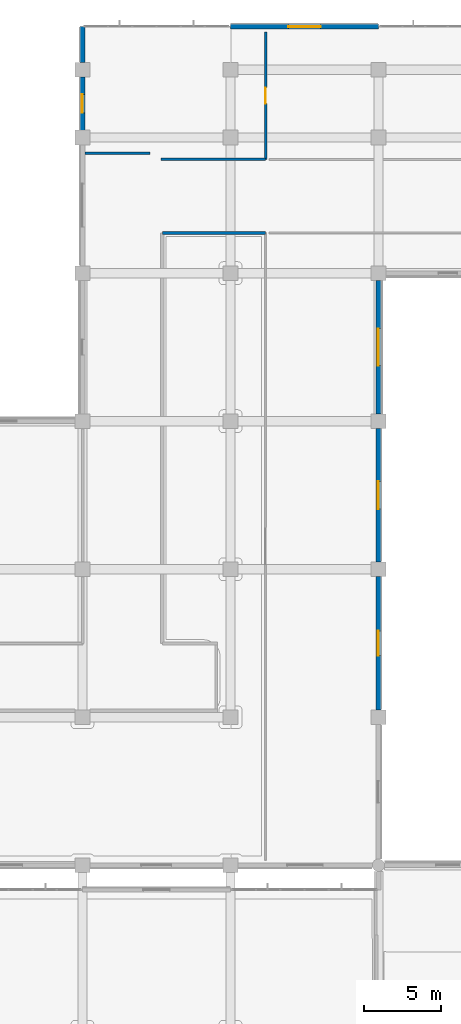
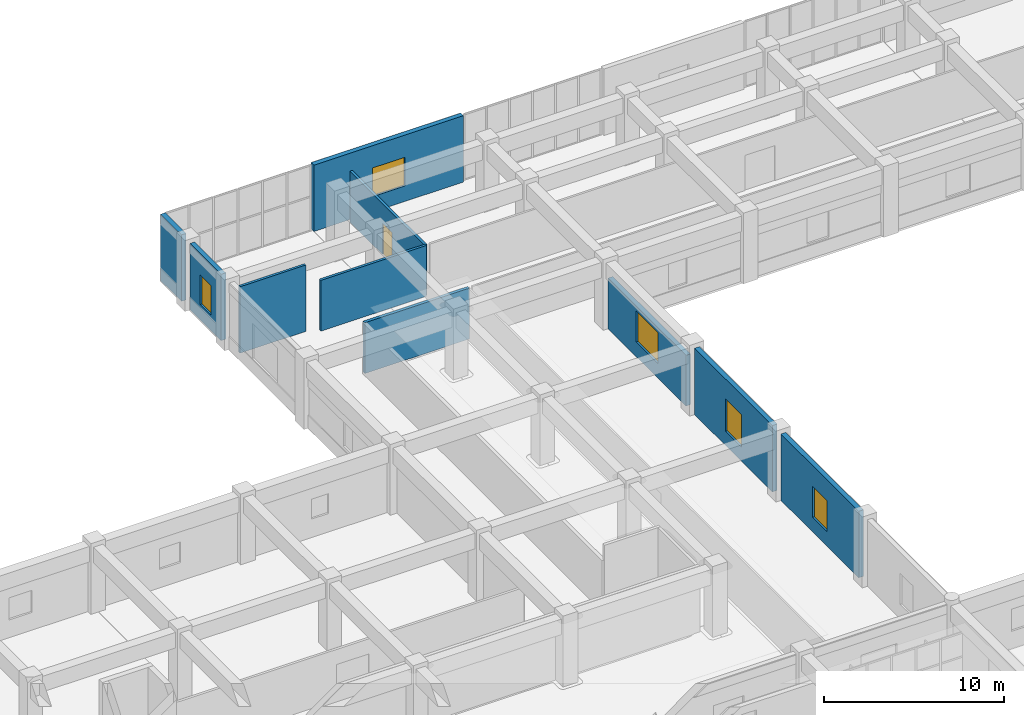
# One storey, part 57 of 86: 10 walls, 5 windows, 1 door, 6 openings.
"""IFC4 building model written with IfcOpenShell, lengths in metres."""

from ifc_helpers import new_model, si_unit, direction, frame, frame_2d, origin, place, context, subcontext, project, spatial, rectangle, extrude, material, layer, layer_set, type_object, element, fill, save


model = new_model("IFC4")

# Units and contexts
model_context = context("Model", 3, precision=1e-05, world=origin(), true_north=direction((0.0, 1.0)))
body_context = subcontext(model_context, "Body", "Model", "MODEL_VIEW")
ifc_project = project(units=[si_unit("LENGTHUNIT", "METRE"), si_unit("AREAUNIT", "SQUARE_METRE"), si_unit("VOLUMEUNIT", "CUBIC_METRE"), si_unit("PLANEANGLEUNIT", "RADIAN"), si_unit("MASSUNIT", "GRAM", prefix="KILO")], contexts=[model_context])

# Site, building, storey
site_placement = place(None, origin())
site = spatial("IfcSite", under=ifc_project, at=site_placement, CompositionType="ELEMENT")
building_placement = place(site_placement, origin())
building = spatial("IfcBuilding", under=site, at=building_placement, Name="Cendralis Terraced Arcade", CompositionType="ELEMENT")
storey_placement = place(building_placement, frame((0.0, 0.0, 5.39990234375)))
storey = spatial("IfcBuildingStorey", under=building, at=storey_placement, Name="L01", CompositionType="ELEMENT", Elevation=5.39990234375)

# Wall
ifc_material_1 = material(Name="Gypsum plasterboard acoustic partition", Category="concrete")
ifc_layer_1 = layer(ifc_material_1, 0.195068359375, Name="WL-ACOU-195")
ifc_layer_set_1 = layer_set([ifc_layer_1], Name="Gypsum plasterboard acoustic partition")
wall_type_1 = type_object("IfcWallType", Name="WL-ACOU-195", PredefinedType="PARTITIONING", material=ifc_layer_set_1)
wall_1_placement = place(storey_placement, frame((53.179931640625, 101.02001953125, 0.0), z_axis=(0.0, 0.0, 1.0), x_axis=(1.0, 0.0, 0.0)))
element("IfcWall", 1, at=wall_1_placement, inside=storey, type_object=wall_type_1, Name="Interior Partition Wall IW-L01-0363", PredefinedType="PARTITIONING", context=body_context, shape_type="SweptSolid", body=[
    extrude(rectangle(XDim=6.699951171875, YDim=0.195068359375, at=frame_2d((3.35009765625, 0.0))), origin(), (0.0, 0.0, 1.0), 3.445068359375),
])

# Wall, opening, window
ifc_material_2 = material(Name="Precast concrete f'c 40 MPa", Category="concrete")
ifc_layer_2 = layer(ifc_material_2, 0.300048828125, Name="WL-EXT-GRC-300")
ifc_layer_set_2 = layer_set([ifc_layer_2], Name="Precast concrete f'c 40 MPa")
wall_type_2 = type_object("IfcWallType", Name="WL-EXT-GRC-300", PredefinedType="SOLIDWALL", material=ifc_layer_set_2)
wall_2_placement = place(storey_placement, frame((48.0, 107.673095703125, 0.0), z_axis=(0.0, 0.0, 1.0), x_axis=(0.0, 1.0, 0.0)))
wall_2 = element("IfcWall", 2, at=wall_2_placement, inside=storey, type_object=wall_type_2, Name="Exterior Architectural Wall EW-L01-0096", PredefinedType="SOLIDWALL", context=body_context, shape_type="SweptSolid", body=[
    extrude(rectangle(XDim=3.453857421875, YDim=0.300048828125, at=frame_2d((1.72705078125, 0.0))), origin(), (0.0, 0.0, 1.0), 4.505126953125),
])
opening_1_placement = place(wall_2_placement, frame((1.126953125, 0.0, 1.050048828125)))
opening_1 = element("IfcOpeningElement", 3, at=opening_1_placement, cuts=wall_2, Name="Opening W-07", PredefinedType="OPENING", context=body_context, shape_type="SweptSolid", body=[
    extrude(rectangle(XDim=1.199951171875, YDim=2.0, at=frame_2d((0.60009765625, 1.0))), frame((0.0, 0.162109375, 0.0), z_axis=(0.0, -1.0, 0.0), x_axis=(1.0, 0.0, 0.0)), (0.0, 0.0, 1.0), 0.323974609375),
])
ifc_material_3 = material(Name="Tempered solar control laminated glass", Category="glass")
window_type_1 = type_object("IfcWindowType", Name="WN-F1-1200x2000", PartitioningType="SINGLE_PANEL", PredefinedType="WINDOW", material=ifc_material_3)
window_1_placement = place(opening_1_placement, origin())
window_1 = element("IfcWindow", 4, at=window_1_placement, inside=storey, type_object=window_type_1, Name="Exterior Solar-Control Window WN-L01-0054", OverallHeight=2.0, OverallWidth=1.199951171875, PartitioningType="SINGLE_PANEL", PredefinedType="WINDOW", context=body_context, shape_type="SweptSolid", body=[
    extrude(rectangle(XDim=1.199951171875, YDim=2.0, at=frame_2d((0.60009765625, 1.0))), frame((0.0, 0.030029296875, 0.0), z_axis=(0.0, -1.0, 0.0), x_axis=(1.0, 0.0, 0.0)), (0.0, 0.0, 1.0), 0.06005859375),
])
fill(opening_1, window_1)

# Wall
wall_3_placement = place(storey_placement, frame((48.0, 112.072998046875, 0.0), z_axis=(0.0, 0.0, 1.0), x_axis=(0.0, 1.0, 0.0)))
element("IfcWall", 5, at=wall_3_placement, inside=storey, type_object=wall_type_2, Name="Exterior Architectural Wall EW-L01-0097", PredefinedType="SOLIDWALL", context=body_context, shape_type="SweptSolid", body=[
    extrude(rectangle(XDim=2.326904296875, YDim=0.300048828125, at=frame_2d((1.16357421875, 0.0))), origin(), (0.0, 0.0, 1.0), 4.505126953125),
])

# Wall, opening, window
wall_4_placement = place(storey_placement, frame((57.60009765625, 114.39990234375, 0.0), z_axis=(0.0, 0.0, 1.0), x_axis=(1.0, 0.0, 0.0)))
wall_4 = element("IfcWall", 6, at=wall_4_placement, inside=storey, type_object=wall_type_2, Name="Exterior Architectural Wall EW-L01-0098", PredefinedType="SOLIDWALL", context=body_context, shape_type="SweptSolid", body=[
    extrude(rectangle(XDim=9.599853515625, YDim=0.300048828125, at=frame_2d((4.7998046875, 0.0))), origin(), (0.0, 0.0, 1.0), 4.505126953125),
])
opening_2_placement = place(wall_4_placement, frame((3.75, 0.0, 1.050048828125)))
opening_2 = element("IfcOpeningElement", 7, at=opening_2_placement, cuts=wall_4, Name="Opening W-12", PredefinedType="OPENING", context=body_context, shape_type="SweptSolid", body=[
    extrude(rectangle(XDim=2.10009765625, YDim=1.949951171875, at=frame_2d((1.050048828125, 0.97509765625))), frame((0.0, 0.162109375, 0.0), z_axis=(0.0, -1.0, 0.0), x_axis=(1.0, 0.0, 0.0)), (0.0, 0.0, 1.0), 0.323974609375),
])
window_type_2 = type_object("IfcWindowType", Name="WN-F2-2100x1950", PartitioningType="SINGLE_PANEL", PredefinedType="WINDOW", material=ifc_material_3)
window_2_placement = place(opening_2_placement, origin())
window_2 = element("IfcWindow", 8, at=window_2_placement, inside=storey, type_object=window_type_2, Name="Exterior Solar-Control Window WN-L01-0055", OverallHeight=1.949951171875, OverallWidth=2.10009765625, PartitioningType="SINGLE_PANEL", PredefinedType="WINDOW", context=body_context, shape_type="SweptSolid", body=[
    extrude(rectangle(XDim=2.10009765625, YDim=1.949951171875, at=frame_2d((1.050048828125, 0.97509765625))), frame((0.0, 0.030029296875, 0.0), z_axis=(0.0, -1.0, 0.0), x_axis=(1.0, 0.0, 0.0)), (0.0, 0.0, 1.0), 0.06005859375),
])
fill(opening_2, window_2)

wall_5_placement = place(storey_placement, frame((67.199951171875, 97.927001953125, 0.0), z_axis=(0.0, 0.0, 1.0), x_axis=(0.0, -1.0, 0.0)))
wall_5 = element("IfcWall", 9, at=wall_5_placement, inside=storey, type_object=wall_type_2, Name="Exterior Architectural Wall EW-L01-0149", PredefinedType="SOLIDWALL", context=body_context, shape_type="SweptSolid", body=[
    extrude(rectangle(XDim=8.654052734375, YDim=0.300048828125, at=frame_2d((4.3271484375, 0.0))), origin(), (0.0, 0.0, 1.0), 3.445068359375),
])
opening_3_placement = place(wall_5_placement, frame((3.126953125, 0.0, 1.0)))
opening_3 = element("IfcOpeningElement", 10, at=opening_3_placement, cuts=wall_5, Name="Opening W-11", PredefinedType="OPENING", context=body_context, shape_type="SweptSolid", body=[
    extrude(rectangle(XDim=2.39990234375, YDim=2.10009765625, at=frame_2d((1.199951171875, 1.050048828125))), frame((0.0, 0.162109375, 0.0), z_axis=(0.0, -1.0, 0.0), x_axis=(1.0, 0.0, 0.0)), (0.0, 0.0, 1.0), 0.323974609375),
])
window_type_3 = type_object("IfcWindowType", Name="WN-F2-2400x2100", PartitioningType="SINGLE_PANEL", PredefinedType="WINDOW", material=ifc_material_3)
window_3_placement = place(opening_3_placement, origin())
window_3 = element("IfcWindow", 11, at=window_3_placement, inside=storey, type_object=window_type_3, Name="Exterior Solar-Control Window WN-L01-0099", OverallHeight=2.10009765625, OverallWidth=2.39990234375, PartitioningType="SINGLE_PANEL", PredefinedType="WINDOW", context=body_context, shape_type="SweptSolid", body=[
    extrude(rectangle(XDim=2.39990234375, YDim=2.10009765625, at=frame_2d((1.199951171875, 1.050048828125))), frame((0.0, 0.030029296875, 0.0), z_axis=(0.0, -1.0, 0.0), x_axis=(1.0, 0.0, 0.0)), (0.0, 0.0, 1.0), 0.06005859375),
])
fill(opening_3, window_3)

wall_6_placement = place(storey_placement, frame((67.199951171875, 88.326904296875, 0.0), z_axis=(0.0, 0.0, 1.0), x_axis=(0.0, -1.0, 0.0)))
wall_6 = element("IfcWall", 12, at=wall_6_placement, inside=storey, type_object=wall_type_2, Name="Exterior Architectural Wall EW-L01-0150", PredefinedType="SOLIDWALL", context=body_context, shape_type="SweptSolid", body=[
    extrude(rectangle(XDim=8.65380859375, YDim=0.300048828125, at=frame_2d((4.326904296875, 0.0))), origin(), (0.0, 0.0, 1.0), 4.505126953125),
])
opening_4_placement = place(wall_6_placement, frame((3.427001953125, 0.0, 0.949951171875)))
opening_4 = element("IfcOpeningElement", 13, at=opening_4_placement, cuts=wall_6, Name="Opening W-04", PredefinedType="OPENING", context=body_context, shape_type="SweptSolid", body=[
    extrude(rectangle(XDim=1.800048828125, YDim=2.199951171875, at=frame_2d((0.89990234375, 1.10009765625))), frame((0.0, 0.162109375, 0.0), z_axis=(0.0, -1.0, 0.0), x_axis=(1.0, 0.0, 0.0)), (0.0, 0.0, 1.0), 0.323974609375),
])
window_type_4 = type_object("IfcWindowType", Name="WN-F1-1800x2200", PartitioningType="SINGLE_PANEL", PredefinedType="WINDOW", material=ifc_material_3)
window_4_placement = place(opening_4_placement, origin())
window_4 = element("IfcWindow", 14, at=window_4_placement, inside=storey, type_object=window_type_4, Name="Exterior Solar-Control Window WN-L01-0100", OverallHeight=2.199951171875, OverallWidth=1.800048828125, PartitioningType="SINGLE_PANEL", PredefinedType="WINDOW", context=body_context, shape_type="SweptSolid", body=[
    extrude(rectangle(XDim=1.800048828125, YDim=2.199951171875, at=frame_2d((0.89990234375, 1.10009765625))), frame((0.0, 0.030029296875, 0.0), z_axis=(0.0, -1.0, 0.0), x_axis=(1.0, 0.0, 0.0)), (0.0, 0.0, 1.0), 0.06005859375),
])
fill(opening_4, window_4)

wall_7_placement = place(storey_placement, frame((67.199951171875, 78.72705078125, 0.0), z_axis=(0.0, 0.0, 1.0), x_axis=(0.0, -1.0, 0.0)))
wall_7 = element("IfcWall", 15, at=wall_7_placement, inside=storey, type_object=wall_type_2, Name="Exterior Architectural Wall EW-L01-0151", PredefinedType="SOLIDWALL", context=body_context, shape_type="SweptSolid", body=[
    extrude(rectangle(XDim=8.654052734375, YDim=0.300048828125, at=frame_2d((4.3271484375, 0.0))), origin(), (0.0, 0.0, 1.0), 4.505126953125),
])
opening_5_placement = place(wall_7_placement, frame((3.527099609375, 0.0, 1.0)))
opening_5 = element("IfcOpeningElement", 16, at=opening_5_placement, cuts=wall_7, Name="Opening W-05", PredefinedType="OPENING", context=body_context, shape_type="SweptSolid", body=[
    extrude(rectangle(XDim=1.60009765625, YDim=2.10009765625, at=frame_2d((0.800048828125, 1.050048828125))), frame((0.0, 0.162109375, 0.0), z_axis=(0.0, -1.0, 0.0), x_axis=(1.0, 0.0, 0.0)), (0.0, 0.0, 1.0), 0.323974609375),
])
window_type_5 = type_object("IfcWindowType", Name="WN-F1-1600x2100", PartitioningType="SINGLE_PANEL", PredefinedType="WINDOW", material=ifc_material_3)
window_5_placement = place(opening_5_placement, origin())
window_5 = element("IfcWindow", 17, at=window_5_placement, inside=storey, type_object=window_type_5, Name="Exterior Solar-Control Window WN-L01-0101", OverallHeight=2.10009765625, OverallWidth=1.60009765625, PartitioningType="SINGLE_PANEL", PredefinedType="WINDOW", context=body_context, shape_type="SweptSolid", body=[
    extrude(rectangle(XDim=1.60009765625, YDim=2.10009765625, at=frame_2d((0.800048828125, 1.050048828125))), frame((0.0, 0.030029296875, 0.0), z_axis=(0.0, -1.0, 0.0), x_axis=(1.0, 0.0, 0.0)), (0.0, 0.0, 1.0), 0.06005859375),
])
fill(opening_5, window_5)

# Walls
ifc_layer_3 = layer(ifc_material_1, 0.159912109375, Name="WL-PART-160")
ifc_layer_set_3 = layer_set([ifc_layer_3], Name="Gypsum plasterboard acoustic partition")
wall_type_3 = type_object("IfcWallType", Name="WL-PART-160", PredefinedType="PARTITIONING", material=ifc_layer_set_3)
wall_8_placement = place(storey_placement, frame((52.380859375, 106.179931640625, 0.0), z_axis=(0.0, 0.0, 1.0), x_axis=(-1.0, 0.0, 0.0)))
element("IfcWall", 18, at=wall_8_placement, inside=storey, type_object=wall_type_3, Name="Interior Partition Wall IW-L01-0369", PredefinedType="PARTITIONING", context=body_context, shape_type="SweptSolid", body=[
    extrude(rectangle(XDim=4.23095703125, YDim=0.159912109375, at=frame_2d((2.115478515625, 0.0))), origin(), (0.0, 0.0, 1.0), 4.505126953125),
])
ifc_layer_4 = layer(ifc_material_1, 0.1650390625, Name="WL-PART-165")
ifc_layer_set_4 = layer_set([ifc_layer_4], Name="Gypsum plasterboard acoustic partition")
wall_type_4 = type_object("IfcWallType", Name="WL-PART-165", PredefinedType="PARTITIONING", material=ifc_layer_set_4)
wall_9_placement = place(storey_placement, frame((59.8798828125, 105.780029296875, 0.0), z_axis=(0.0, 0.0, 1.0), x_axis=(-1.0, 0.0, 0.0)))
element("IfcWall", 19, at=wall_9_placement, inside=storey, type_object=wall_type_4, Name="Interior Partition Wall IW-L01-0368", PredefinedType="PARTITIONING", context=body_context, shape_type="SweptSolid", body=[
    extrude(rectangle(XDim=6.773193359375, YDim=0.1650390625, at=frame_2d((3.38671875, 0.0))), origin(), (0.0, 0.0, 1.0), 3.445068359375),
])

# Wall, opening, door
ifc_layer_5 = layer(ifc_material_1, 0.169921875, Name="WL-PART-170")
ifc_layer_set_5 = layer_set([ifc_layer_5], Name="Gypsum plasterboard acoustic partition")
wall_type_5 = type_object("IfcWallType", Name="WL-PART-170", PredefinedType="PARTITIONING", material=ifc_layer_set_5)
wall_10_placement = place(storey_placement, frame((59.8798828125, 114.06005859375, 0.0), z_axis=(0.0, 0.0, 1.0), x_axis=(0.0, -1.0, 0.0)))
wall_10 = element("IfcWall", 20, at=wall_10_placement, inside=storey, type_object=wall_type_5, Name="Interior Partition Wall IW-L01-0367", PredefinedType="PARTITIONING", context=body_context, shape_type="SweptSolid", body=[
    extrude(rectangle(XDim=8.280029296875, YDim=0.169921875, at=frame_2d((4.14013671875, 0.0))), origin(), (0.0, 0.0, 1.0), 3.445068359375),
])
opening_6_placement = place(wall_10_placement, frame((3.614990234375, 0.0, 0.0)))
opening_6 = element("IfcOpeningElement", 21, at=opening_6_placement, cuts=wall_10, Name="Opening D-L01-102", PredefinedType="OPENING", context=body_context, shape_type="SweptSolid", body=[
    extrude(rectangle(XDim=1.050048828125, YDim=2.10009765625, at=frame_2d((0.52490234375, 1.050048828125))), frame((0.0, 0.096923828125, 0.0), z_axis=(0.0, -1.0, 0.0), x_axis=(1.0, 0.0, 0.0)), (0.0, 0.0, 1.0), 0.19384765625),
])
ifc_material_4 = material(Name="Solid core Andean oak veneer door leaf", Category="aluminium")
door_type = type_object("IfcDoorType", Name="ID-RM-1050x2100", OperationType="NOTDEFINED", PredefinedType="DOOR", material=ifc_material_4)
door_placement = place(opening_6_placement, origin())
door = element("IfcDoor", 22, at=door_placement, inside=storey, type_object=door_type, Name="Womenswear Contemporary Sales Floor Door D-L01-102", OperationType="SINGLE_SWING_LEFT", OverallHeight=2.10009765625, OverallWidth=1.050048828125, PredefinedType="DOOR", context=body_context, shape_type="SweptSolid", body=[
    extrude(rectangle(XDim=1.050048828125, YDim=2.10009765625, at=frame_2d((0.52490234375, 1.050048828125))), frame((0.0, 0.02490234375, 0.0), z_axis=(0.0, -1.0, 0.0), x_axis=(1.0, 0.0, 0.0)), (0.0, 0.0, 1.0), 0.050048828125),
])
fill(opening_6, door)

save(model, "model.ifc")
